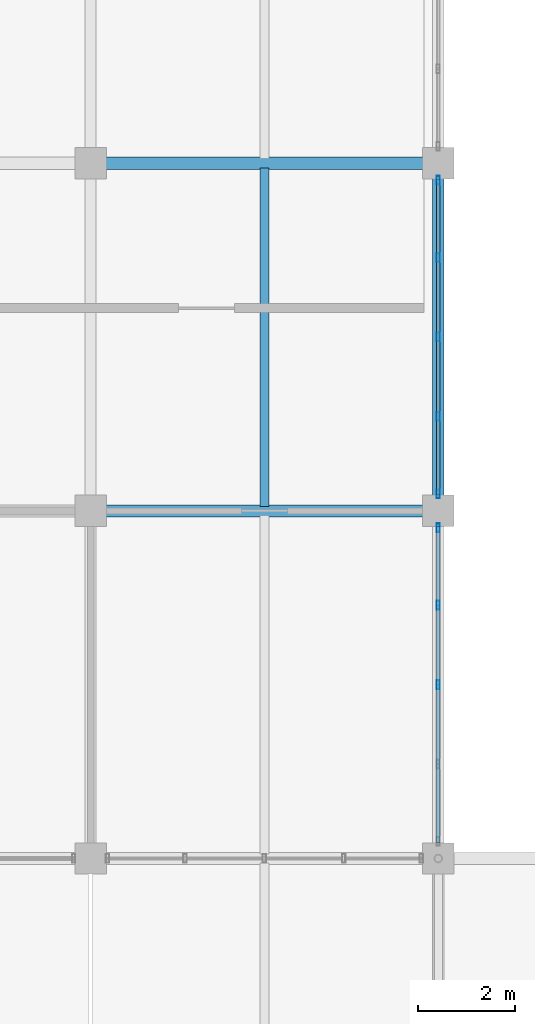
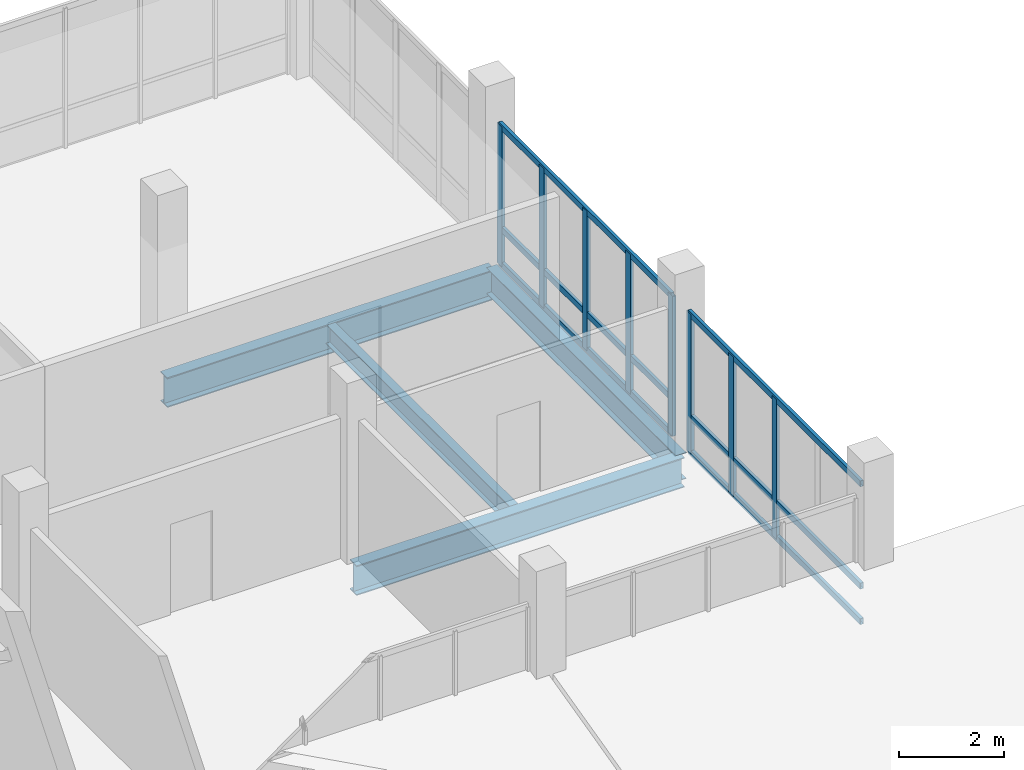
# One storey, part 87 of 144: 14 members, 4 beams, 2 elements without a shape of their own.
"""IFC4 building model written with IfcOpenShell, lengths in metres."""

from ifc_helpers import new_model, si_unit, direction, frame, origin, origin_2d, place, context, subcontext, project, spatial, hollow_rectangle, i_section, extrude, material, material_profile, profile_set, type_object, element, aggregate, save


model = new_model("IFC4")

# Units and contexts
model_context = context("Model", 3, precision=1e-05, world=origin(), true_north=direction((0.0, 1.0)))
body_context = subcontext(model_context, "Body", "Model", "MODEL_VIEW")
ifc_project = project(units=[si_unit("LENGTHUNIT", "METRE"), si_unit("AREAUNIT", "SQUARE_METRE"), si_unit("VOLUMEUNIT", "CUBIC_METRE"), si_unit("PLANEANGLEUNIT", "RADIAN"), si_unit("MASSUNIT", "GRAM", prefix="KILO")], contexts=[model_context])

# Site, building, storey
site_placement = place(None, origin())
site = spatial("IfcSite", under=ifc_project, at=site_placement, CompositionType="ELEMENT")
building_placement = place(site_placement, origin())
building = spatial("IfcBuilding", under=site, at=building_placement, Name="Yarey Park Central Fire Station", CompositionType="ELEMENT")
storey_placement = place(building_placement, frame((0.0, 0.0, 10.199951171875)))
storey = spatial("IfcBuildingStorey", under=building, at=storey_placement, Name="L03", CompositionType="ELEMENT", Elevation=10.199951171875)

# Curtain wall, members
ifc_material_1 = material(Name="Anodized Aluminium Frame", Category="aluminium")
curtain_wall_type = type_object("IfcCurtainWallType", Name="ENV_CW_HQ_L03", PredefinedType="NOTDEFINED", material=ifc_material_1)
curtain_wall_1_placement = place(storey_placement, origin())
curtain_wall_1 = element("IfcCurtainWall", 1, at=curtain_wall_1_placement, inside=storey, type_object=curtain_wall_type, Name="CW_L03_V4_E_93", PredefinedType="NOTDEFINED")
ifc_material_profile_1 = material_profile(ifc_material_1, hollow_rectangle(XDim=0.070068359375, YDim=0.179931640625, WallThickness=0.00390625, at=origin_2d()), Name="ALU 180x70x4")
ifc_profile_set_1 = profile_set([ifc_material_profile_1], Name="Anodized Aluminium Frame")
member_type_1 = type_object("IfcMemberType", Name="ENV_CW_MULLION", PredefinedType="MULLION", material=ifc_profile_set_1)
member_1_placement = place(storey_placement, frame((158.39990234375, 97.199951171875, 0.0), z_axis=(0.0, 0.0, 1.0), x_axis=(1.0, 0.0, 0.0)))
member_1 = element("IfcMember", 2, at=member_1_placement, type_object=member_type_1, Name="CW_L03_V4_E_93_MUL3", PredefinedType="MULLION", context=body_context, shape_type="SweptSolid", body=[
    extrude(hollow_rectangle(XDim=0.070068359375, YDim=0.179931640625, WallThickness=0.00390625, at=origin_2d()), origin(), (0.0, 0.0, 1.0), 3.25),
])
member_2_placement = place(storey_placement, frame((158.39990234375, 98.844970703125, 0.0), z_axis=(0.0, 0.0, 1.0), x_axis=(1.0, 0.0, 0.0)))
member_2 = element("IfcMember", 3, at=member_2_placement, type_object=member_type_1, Name="CW_L03_V4_E_93_MUL4", PredefinedType="MULLION", context=body_context, shape_type="SweptSolid", body=[
    extrude(hollow_rectangle(XDim=0.070068359375, YDim=0.179931640625, WallThickness=0.00390625, at=origin_2d()), origin(), (0.0, 0.0, 1.0), 3.25),
])
member_3_placement = place(storey_placement, frame((158.39990234375, 100.449951171875, 0.0), z_axis=(0.0, 0.0, 1.0), x_axis=(1.0, 0.0, 0.0)))
member_3 = element("IfcMember", 4, at=member_3_placement, type_object=member_type_1, Name="CW_L03_V4_E_93_MUL5", PredefinedType="MULLION", context=body_context, shape_type="SweptSolid", body=[
    extrude(hollow_rectangle(XDim=0.070068359375, YDim=0.179931640625, WallThickness=0.00390625, at=origin_2d()), origin(), (0.0, 0.0, 1.0), 3.25),
])

curtain_wall_2_placement = place(storey_placement, origin())
curtain_wall_2 = element("IfcCurtainWall", 5, at=curtain_wall_2_placement, inside=storey, type_object=curtain_wall_type, Name="CW_L03_V4_E_100", PredefinedType="NOTDEFINED")
member_4_placement = place(storey_placement, frame((158.39990234375, 101.14990234375, 0.0), z_axis=(0.0, 0.0, 1.0), x_axis=(1.0, 0.0, 0.0)))
member_4 = element("IfcMember", 6, at=member_4_placement, type_object=member_type_1, Name="CW_L03_V4_E_100_MUL1", PredefinedType="MULLION", context=body_context, shape_type="SweptSolid", body=[
    extrude(hollow_rectangle(XDim=0.070068359375, YDim=0.179931640625, WallThickness=0.00390625, at=origin_2d()), origin(), (0.0, 0.0, 1.0), 3.25),
])
member_5_placement = place(storey_placement, frame((158.39990234375, 102.7548828125, 0.0), z_axis=(0.0, 0.0, 1.0), x_axis=(1.0, 0.0, 0.0)))
member_5 = element("IfcMember", 7, at=member_5_placement, type_object=member_type_1, Name="CW_L03_V4_E_100_MUL2", PredefinedType="MULLION", context=body_context, shape_type="SweptSolid", body=[
    extrude(hollow_rectangle(XDim=0.070068359375, YDim=0.179931640625, WallThickness=0.00390625, at=origin_2d()), origin(), (0.0, 0.0, 1.0), 3.25),
])
member_6_placement = place(storey_placement, frame((158.39990234375, 104.39990234375, 0.0), z_axis=(0.0, 0.0, 1.0), x_axis=(1.0, 0.0, 0.0)))
member_6 = element("IfcMember", 8, at=member_6_placement, type_object=member_type_1, Name="CW_L03_V4_E_100_MUL3", PredefinedType="MULLION", context=body_context, shape_type="SweptSolid", body=[
    extrude(hollow_rectangle(XDim=0.070068359375, YDim=0.179931640625, WallThickness=0.00390625, at=origin_2d()), origin(), (0.0, 0.0, 1.0), 3.25),
])
member_7_placement = place(storey_placement, frame((158.39990234375, 106.044921875, 0.0), z_axis=(0.0, 0.0, 1.0), x_axis=(1.0, 0.0, 0.0)))
member_7 = element("IfcMember", 9, at=member_7_placement, type_object=member_type_1, Name="CW_L03_V4_E_100_MUL4", PredefinedType="MULLION", context=body_context, shape_type="SweptSolid", body=[
    extrude(hollow_rectangle(XDim=0.070068359375, YDim=0.179931640625, WallThickness=0.00390625, at=origin_2d()), origin(), (0.0, 0.0, 1.0), 3.25),
])
member_8_placement = place(storey_placement, frame((158.39990234375, 107.64990234375, 0.0), z_axis=(0.0, 0.0, 1.0), x_axis=(1.0, 0.0, 0.0)))
member_8 = element("IfcMember", 10, at=member_8_placement, type_object=member_type_1, Name="CW_L03_V4_E_100_MUL5", PredefinedType="MULLION", context=body_context, shape_type="SweptSolid", body=[
    extrude(hollow_rectangle(XDim=0.070068359375, YDim=0.179931640625, WallThickness=0.00390625, at=origin_2d()), origin(), (0.0, 0.0, 1.0), 3.25),
])

# Member
ifc_material_profile_2 = material_profile(ifc_material_1, hollow_rectangle(XDim=0.070068359375, YDim=0.139892578125, WallThickness=0.00390625, at=origin_2d()), Name="ALU 140x70x4")
ifc_profile_set_2 = profile_set([ifc_material_profile_2], Name="Anodized Aluminium Frame")
member_type_2 = type_object("IfcMemberType", Name="ENV_CW_TRANSOM", PredefinedType="USERDEFINED", material=ifc_profile_set_2)
member_9_placement = place(storey_placement, frame((158.39990234375, 93.925048828125, 0.025146484375), z_axis=(0.0, 1.0, 0.0), x_axis=(-1.0, 0.0, 0.0)))
member_9 = element("IfcMember", 11, at=member_9_placement, type_object=member_type_2, Name="CW_L03_V4_E_93_TRN1", ObjectType="TRANSOM", PredefinedType="USERDEFINED", context=body_context, shape_type="SweptSolid", body=[
    extrude(hollow_rectangle(XDim=0.070068359375, YDim=0.139892578125, WallThickness=0.00390625, at=origin_2d()), origin(), (0.0, 0.0, 1.0), 6.550048828125),
])

member_10_placement = place(storey_placement, frame((158.39990234375, 93.925048828125, 0.85009765625), z_axis=(0.0, 1.0, 0.0), x_axis=(-1.0, 0.0, 0.0)))
member_10 = element("IfcMember", 12, at=member_10_placement, type_object=member_type_2, Name="CW_L03_V4_E_93_TRN2", ObjectType="TRANSOM", PredefinedType="USERDEFINED", context=body_context, shape_type="SweptSolid", body=[
    extrude(hollow_rectangle(XDim=0.070068359375, YDim=0.139892578125, WallThickness=0.00390625, at=origin_2d()), origin(), (0.0, 0.0, 1.0), 6.550048828125),
])

member_11_placement = place(storey_placement, frame((158.39990234375, 93.925048828125, 3.22509765625), z_axis=(0.0, 1.0, 0.0), x_axis=(-1.0, 0.0, 0.0)))
member_11 = element("IfcMember", 13, at=member_11_placement, type_object=member_type_2, Name="CW_L03_V4_E_93_TRN3", ObjectType="TRANSOM", PredefinedType="USERDEFINED", context=body_context, shape_type="SweptSolid", body=[
    extrude(hollow_rectangle(XDim=0.070068359375, YDim=0.139892578125, WallThickness=0.00390625, at=origin_2d()), origin(), (0.0, 0.0, 1.0), 6.550048828125),
])

aggregate(curtain_wall_1, [member_1, member_2, member_3, member_9, member_10, member_11])

member_12_placement = place(storey_placement, frame((158.39990234375, 101.125, 0.025146484375), z_axis=(0.0, 1.0, 0.0), x_axis=(-1.0, 0.0, 0.0)))
member_12 = element("IfcMember", 14, at=member_12_placement, type_object=member_type_2, Name="CW_L03_V4_E_100_TRN1", ObjectType="TRANSOM", PredefinedType="USERDEFINED", context=body_context, shape_type="SweptSolid", body=[
    extrude(hollow_rectangle(XDim=0.070068359375, YDim=0.139892578125, WallThickness=0.00390625, at=origin_2d()), origin(), (0.0, 0.0, 1.0), 6.550048828125),
])

member_13_placement = place(storey_placement, frame((158.39990234375, 101.125, 0.85009765625), z_axis=(0.0, 1.0, 0.0), x_axis=(-1.0, 0.0, 0.0)))
member_13 = element("IfcMember", 15, at=member_13_placement, type_object=member_type_2, Name="CW_L03_V4_E_100_TRN2", ObjectType="TRANSOM", PredefinedType="USERDEFINED", context=body_context, shape_type="SweptSolid", body=[
    extrude(hollow_rectangle(XDim=0.070068359375, YDim=0.139892578125, WallThickness=0.00390625, at=origin_2d()), origin(), (0.0, 0.0, 1.0), 6.550048828125),
])

member_14_placement = place(storey_placement, frame((158.39990234375, 101.125, 3.22509765625), z_axis=(0.0, 1.0, 0.0), x_axis=(-1.0, 0.0, 0.0)))
member_14 = element("IfcMember", 16, at=member_14_placement, type_object=member_type_2, Name="CW_L03_V4_E_100_TRN3", ObjectType="TRANSOM", PredefinedType="USERDEFINED", context=body_context, shape_type="SweptSolid", body=[
    extrude(hollow_rectangle(XDim=0.070068359375, YDim=0.139892578125, WallThickness=0.00390625, at=origin_2d()), origin(), (0.0, 0.0, 1.0), 6.550048828125),
])

aggregate(curtain_wall_2, [member_4, member_5, member_6, member_7, member_8, member_12, member_13, member_14])

# Beams
ifc_material_2 = material(Name="Steel ASTM A992 Gr. 50", Category="steel")
ifc_material_profile_3 = material_profile(ifc_material_2, i_section(OverallWidth=0.22900390625, OverallDepth=0.612060546875, WebThickness=0.011962890625, FlangeThickness=0.01953125, at=origin_2d()), Name="W610x125")
ifc_profile_set_3 = profile_set([ifc_material_profile_3], Name="Steel ASTM A992 Gr. 50")
beam_type_1 = type_object("IfcBeamType", Name="STR_BM_W610", PredefinedType="BEAM", material=ifc_profile_set_3)
beam_1_placement = place(storey_placement, frame((158.39990234375, 100.800048828125, -0.56591796875), z_axis=(0.0, 1.0, 0.0), x_axis=(-1.0, 0.0, 0.0)))
element("IfcBeam", 17, at=beam_1_placement, inside=storey, type_object=beam_type_1, Name="BMY L03 X1584 Y1008", PredefinedType="BEAM", context=body_context, shape_type="SweptSolid", body=[
    extrude(i_section(OverallWidth=0.22900390625, OverallDepth=0.612060546875, WebThickness=0.011962890625, FlangeThickness=0.01953125, at=origin_2d()), origin(), (0.0, 0.0, 1.0), 7.199951171875),
])
ifc_material_profile_4 = material_profile(ifc_material_2, i_section(OverallWidth=0.256103515625, OverallDepth=0.693115234375, WebThickness=0.014404296875, FlangeThickness=0.023681640625, at=origin_2d()), Name="W690x170")
ifc_profile_set_4 = profile_set([ifc_material_profile_4], Name="Steel ASTM A992 Gr. 50")
beam_type_2 = type_object("IfcBeamType", Name="STR_BM_W690", PredefinedType="BEAM", material=ifc_profile_set_4)
for number, where, z_axis, x_axis, name in (
    (18, (151.199951171875, 100.800048828125, -0.6064453125), (1.0, 0.0, 0.0), (0.0, 1.0, 0.0), "BMX L03 Y1008 X1512"),
    (19, (151.199951171875, 108.0, -0.6064453125), (1.0, 0.0, 0.0), (0.0, 1.0, 0.0), "BMX L03 Y1080 X1512"),
):
    element("IfcBeam", number, at=place(storey_placement, frame(where, z_axis=z_axis, x_axis=x_axis)), inside=storey, type_object=beam_type_2, Name=name, PredefinedType="BEAM", context=body_context, shape_type="SweptSolid", body=[
        extrude(i_section(OverallWidth=0.256103515625, OverallDepth=0.693115234375, WebThickness=0.014404296875, FlangeThickness=0.023681640625, at=origin_2d()), origin(), (0.0, 0.0, 1.0), 7.199951171875),
    ])
ifc_material_profile_5 = material_profile(ifc_material_2, i_section(OverallWidth=0.18994140625, OverallDepth=0.45703125, WebThickness=0.009033203125, FlangeThickness=0.014404296875, at=origin_2d()), Name="W460x74")
ifc_profile_set_5 = profile_set([ifc_material_profile_5], Name="Steel ASTM A992 Gr. 50")
beam_type_3 = type_object("IfcBeamType", Name="STR_JST_W460", PredefinedType="JOIST", material=ifc_profile_set_5)
beam_2_placement = place(storey_placement, frame((154.800048828125, 100.89501953125, -0.488525390625), z_axis=(0.0, 1.0, 0.0), x_axis=(-1.0, 0.0, 0.0)))
element("IfcBeam", 20, at=beam_2_placement, inside=storey, type_object=beam_type_3, Name="JST L03 X1548 Y1008", PredefinedType="JOIST", context=body_context, shape_type="SweptSolid", body=[
    extrude(i_section(OverallWidth=0.18994140625, OverallDepth=0.45703125, WebThickness=0.009033203125, FlangeThickness=0.014404296875, at=origin_2d()), origin(), (0.0, 0.0, 1.0), 7.010009765625),
])

save(model, "model.ifc")
